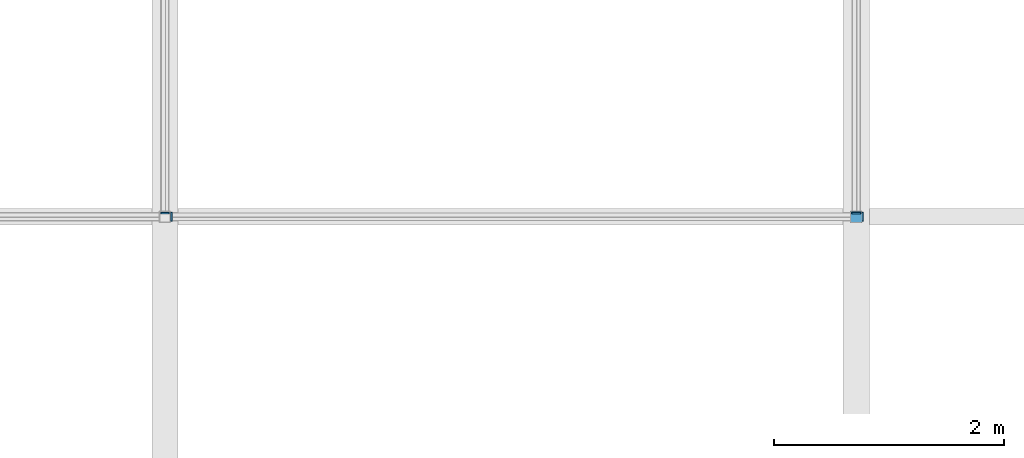
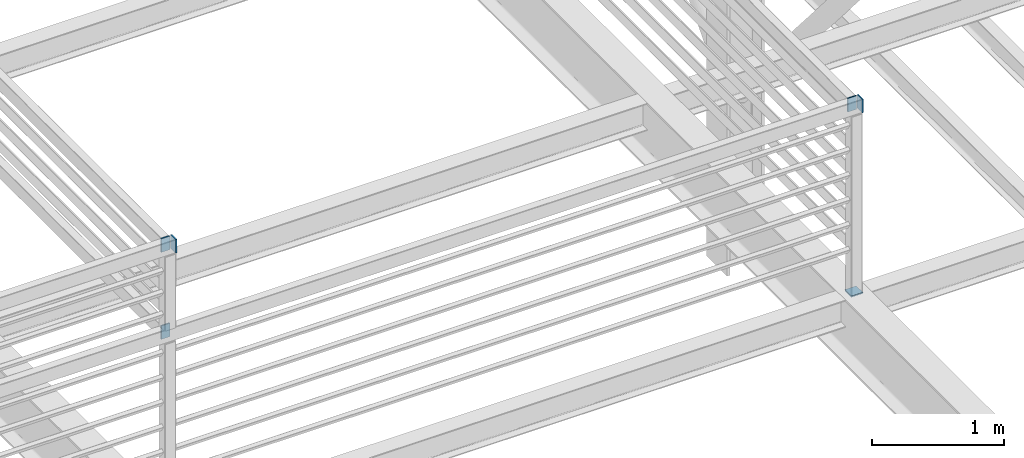
# One storey, part 42 of 57: 6 discrete accessories.
"""IFC4 building model written with IfcOpenShell, lengths in metres."""

from ifc_helpers import new_model, si_unit, direction, frame, origin, origin_2d, place, context, subcontext, project, spatial, rectangle, extrude, material, material_profile, profile_set, type_object, element, save


model = new_model("IFC4")

# Units and contexts
model_context = context("Model", 3, precision=1e-05, world=origin(), true_north=direction((0.0, 1.0)))
body_context = subcontext(model_context, "Body", "Model", "MODEL_VIEW")
ifc_project = project(units=[si_unit("LENGTHUNIT", "METRE"), si_unit("AREAUNIT", "SQUARE_METRE"), si_unit("VOLUMEUNIT", "CUBIC_METRE"), si_unit("PLANEANGLEUNIT", "RADIAN"), si_unit("MASSUNIT", "GRAM", prefix="KILO")], contexts=[model_context])

# Site, building, storey
site_placement = place(None, origin())
site = spatial("IfcSite", under=ifc_project, at=site_placement, CompositionType="ELEMENT")
building_placement = place(site_placement, origin())
building = spatial("IfcBuilding", under=site, at=building_placement, Name="Saffron Lane Theatres", CompositionType="ELEMENT")
storey_placement = place(building_placement, frame((0.0, 0.0, 28.0)))
storey = spatial("IfcBuildingStorey", under=building, at=storey_placement, Name="Upper Roof", CompositionType="ELEMENT", Elevation=28.0)

# Discrete accessories
ifc_material_1 = material(Name="Steel Grade 350", Category="steel")
ifc_material_profile_1 = material_profile(ifc_material_1, rectangle(XDim=0.10009765625, YDim=0.10009765625, at=origin_2d()))
ifc_profile_set_1 = profile_set([ifc_material_profile_1], Name="Steel Grade 350")
discrete_accessory_type_1 = type_object("IfcDiscreteAccessoryType", Name="ST-STEEL END CAP 100x100x6 SHS", PredefinedType="ANCHORPLATE", material=ifc_profile_set_1)
discrete_accessory_1_placement = place(storey_placement, frame((42.0, 36.25, 8.837890625), z_axis=(0.0, 0.0, 1.0), x_axis=(1.0, 0.0, 0.0)))
element("IfcDiscreteAccessory", 1, at=discrete_accessory_1_placement, inside=storey, type_object=discrete_accessory_type_1, Name="EC124", PredefinedType="ANCHORPLATE", context=body_context, shape_type="SweptSolid", body=[
    extrude(rectangle(XDim=0.10009765625, YDim=0.10009765625, at=origin_2d()), origin(), (0.0, 0.0, 1.0), 0.01220703125),
])
ifc_material_2 = material(Name="Steel Grade 350", Category="steel")
ifc_material_profile_2 = material_profile(ifc_material_2, rectangle(XDim=0.074951171875, YDim=0.125, at=origin_2d()))
ifc_profile_set_2 = profile_set([ifc_material_profile_2], Name="Steel Grade 350")
discrete_accessory_type_2 = type_object("IfcDiscreteAccessoryType", Name="ST-STEEL END CAP 125x75x5 RHS", PredefinedType="ANCHORPLATE", material=ifc_profile_set_2)
discrete_accessory_2_placement = place(storey_placement, frame((42.050048828125, 36.25, 10.5625), z_axis=(1.0, 0.0, 0.0), x_axis=(0.0, 1.0, 0.0)))
element("IfcDiscreteAccessory", 2, at=discrete_accessory_2_placement, inside=storey, type_object=discrete_accessory_type_2, Name="EC128", PredefinedType="ANCHORPLATE", context=body_context, shape_type="SweptSolid", body=[
    extrude(rectangle(XDim=0.074951171875, YDim=0.125, at=origin_2d()), origin(), (0.0, 0.0, 1.0), 0.011962890625),
])
for number, where, z_axis, x_axis, name in (
    (3, (36.0, 36.275390625, 10.5625), (0.0, 1.0, 0.0), (-1.0, 0.0, 0.0), "EC137"),
    (4, (42.0, 36.275390625, 10.5625), (0.0, 1.0, 0.0), (-1.0, 0.0, 0.0), "EC139"),
):
    element("IfcDiscreteAccessory", number, at=place(storey_placement, frame(where, z_axis=z_axis, x_axis=x_axis)), inside=storey, type_object=discrete_accessory_type_2, Name=name, PredefinedType="ANCHORPLATE", context=body_context, shape_type="SweptSolid", body=[
        extrude(rectangle(XDim=0.074951171875, YDim=0.125, at=origin_2d()), origin(), (0.0, 0.0, 1.0), 0.01220703125),
    ])
discrete_accessory_3_placement = place(storey_placement, frame((36.050048828125, 36.25, 11.367431640625), z_axis=(1.0, 0.0, 0.0), x_axis=(0.0, 1.0, 0.0)))
element("IfcDiscreteAccessory", 5, at=discrete_accessory_3_placement, inside=storey, type_object=discrete_accessory_type_2, Name="EC142", PredefinedType="ANCHORPLATE", context=body_context, shape_type="SweptSolid", body=[
    extrude(rectangle(XDim=0.074951171875, YDim=0.125, at=origin_2d()), origin(), (0.0, 0.0, 1.0), 0.011962890625),
])
discrete_accessory_4_placement = place(storey_placement, frame((36.0, 36.275390625, 11.367431640625), z_axis=(0.0, 1.0, 0.0), x_axis=(-1.0, 0.0, 0.0)))
element("IfcDiscreteAccessory", 6, at=discrete_accessory_4_placement, inside=storey, type_object=discrete_accessory_type_2, Name="EC149", PredefinedType="ANCHORPLATE", context=body_context, shape_type="SweptSolid", body=[
    extrude(rectangle(XDim=0.074951171875, YDim=0.125, at=origin_2d()), origin(), (0.0, 0.0, 1.0), 0.01220703125),
])

save(model, "model.ifc")
